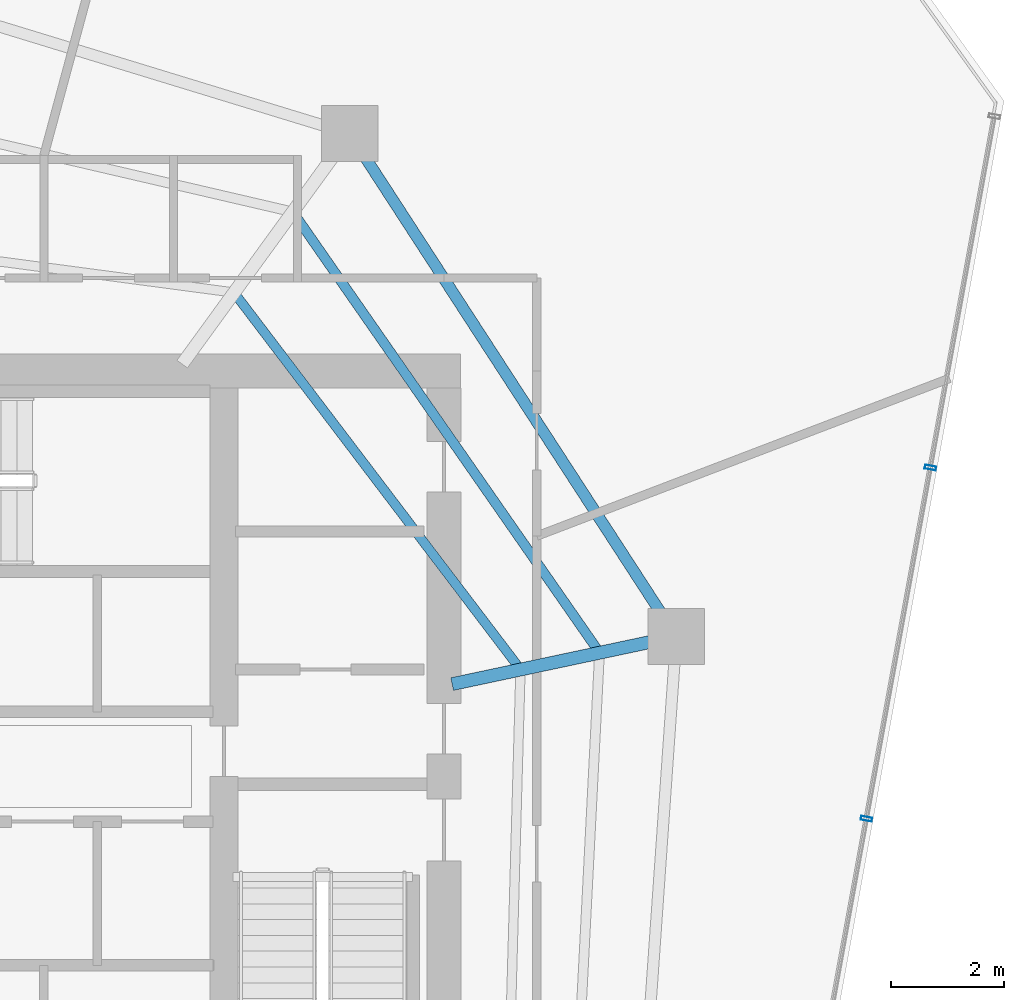
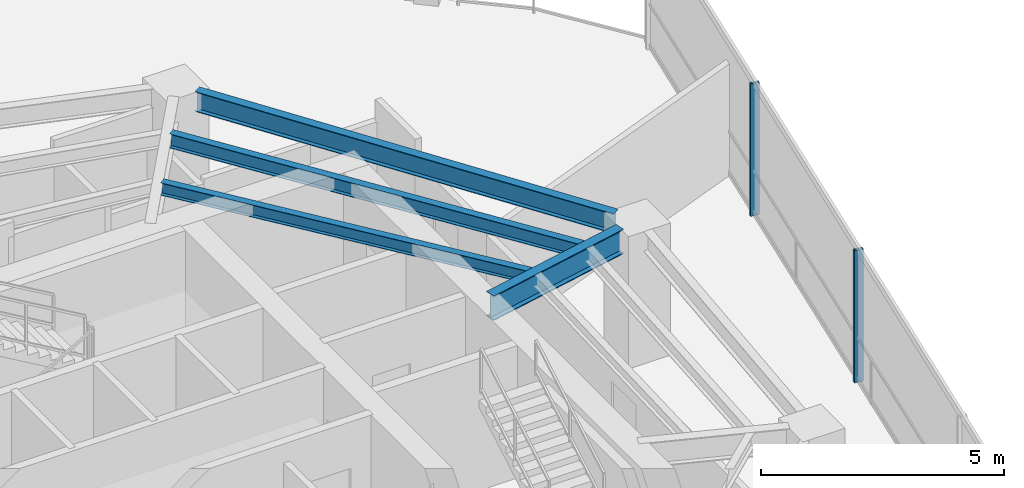
# One storey, part 11 of 21: 4 beams, 2 members, 1 element without a shape of its own.
"""IFC4 building model written with IfcOpenShell, lengths in metres."""

from ifc_helpers import new_model, si_unit, direction, frame, origin, origin_2d, place, context, subcontext, project, spatial, hollow_rectangle, i_section, extrude, material, layer, layer_set, material_profile, profile_set, type_object, element, aggregate, save


model = new_model("IFC4")

# Units and contexts
model_context = context("Model", 3, precision=1e-05, world=origin(), true_north=direction((0.0, 1.0)))
body_context = subcontext(model_context, "Body", "Model", "MODEL_VIEW")
ifc_project = project(units=[si_unit("LENGTHUNIT", "METRE"), si_unit("AREAUNIT", "SQUARE_METRE"), si_unit("VOLUMEUNIT", "CUBIC_METRE"), si_unit("PLANEANGLEUNIT", "RADIAN"), si_unit("MASSUNIT", "GRAM", prefix="KILO")], contexts=[model_context])

# Site, building, storey
site_placement = place(None, origin())
site = spatial("IfcSite", under=ifc_project, at=site_placement, CompositionType="ELEMENT")
building_placement = place(site_placement, origin())
building = spatial("IfcBuilding", under=site, at=building_placement, Name="Qarnah Convention Tower", CompositionType="ELEMENT")
storey_placement = place(building_placement, frame((0.0, 0.0, 140.10009765625)))
storey = spatial("IfcBuildingStorey", under=building, at=storey_placement, Name="L37", CompositionType="ELEMENT", Elevation=140.10009765625)

# Beams
ifc_material_1 = material(Name="Structural steel S355JR", Category="steel")
ifc_material_profile_1 = material_profile(ifc_material_1, i_section(OverallWidth=0.166015625, OverallDepth=0.31201171875, WebThickness=0.007080078125, FlangeThickness=0.010986328125, at=origin_2d()), Name="W310X45")
ifc_profile_set_1 = profile_set([ifc_material_profile_1], Name="Structural steel S355JR")
beam_type_1 = type_object("IfcBeamType", Name="BM-JST-W310", PredefinedType="JOIST", material=ifc_profile_set_1)
beam_1_placement = place(storey_placement, frame((48.906982421875, 28.970947265625, 3.163818359375), z_axis=(-0.605046386024, 0.796190222723, 0.0), x_axis=(-0.796190222723, -0.605046386024, 0.0)))
element("IfcBeam", 1, at=beam_1_placement, inside=storey, type_object=beam_type_1, Name="L37 joist BM-L37-IJST-01", PredefinedType="JOIST", context=body_context, shape_type="SweptSolid", body=[
    extrude(i_section(OverallWidth=0.166015625, OverallDepth=0.31201171875, WebThickness=0.007080078125, FlangeThickness=0.010986328125, at=origin_2d()), origin(), (0.0, 0.0, 1.0), 8.224365234375),
])
ifc_material_profile_2 = material_profile(ifc_material_1, i_section(OverallWidth=0.172119140625, OverallDepth=0.35595703125, WebThickness=0.007080078125, FlangeThickness=0.011962890625, at=origin_2d()), Name="W360X51")
ifc_profile_set_2 = profile_set([ifc_material_profile_2], Name="Structural steel S355JR")
beam_type_2 = type_object("IfcBeamType", Name="BM-JST-W360", PredefinedType="JOIST", material=ifc_profile_set_2)
beam_2_placement = place(storey_placement, frame((50.31298828125, 29.27197265625, 3.141845703125), z_axis=(-0.571244196533, 0.820780158098, 0.0), x_axis=(-0.820780158098, -0.571244196533, 0.0)))
element("IfcBeam", 2, at=beam_2_placement, inside=storey, type_object=beam_type_2, Name="L37 joist BM-L37-SJST-01", PredefinedType="JOIST", context=body_context, shape_type="SweptSolid", body=[
    extrude(i_section(OverallWidth=0.172119140625, OverallDepth=0.35595703125, WebThickness=0.007080078125, FlangeThickness=0.011962890625, at=origin_2d()), origin(), (0.0, 0.0, 1.0), 9.353271484375),
])
ifc_material_profile_3 = material_profile(ifc_material_1, i_section(OverallWidth=0.22998046875, OverallDepth=0.617919921875, WebThickness=0.012939453125, FlangeThickness=0.02197265625, at=origin_2d()), Name="W610X140")
ifc_profile_set_3 = profile_set([ifc_material_profile_3], Name="Structural steel S355JR")
beam_type_3 = type_object("IfcBeamType", Name="BM-RAD-W610A", PredefinedType="BEAM", material=ifc_profile_set_3)
beam_3_placement = place(storey_placement, frame((47.7470703125, 28.64111328125, 3.010986328125), z_axis=(0.978133929389, 0.207975999045, 0.0), x_axis=(-0.207975999045, 0.978133929389, 0.0)))
element("IfcBeam", 3, at=beam_3_placement, inside=storey, type_object=beam_type_3, Name="L37 beam BM-L37-RAD-01", PredefinedType="BEAM", context=body_context, shape_type="SweptSolid", body=[
    extrude(i_section(OverallWidth=0.22998046875, OverallDepth=0.617919921875, WebThickness=0.012939453125, FlangeThickness=0.02197265625, at=origin_2d()), origin(), (0.0, 0.0, 1.0), 3.586181640625),
])
ifc_material_profile_4 = material_profile(ifc_material_1, i_section(OverallWidth=0.199951171875, OverallDepth=0.5, WebThickness=0.010009765625, FlangeThickness=0.01611328125, at=origin_2d()), Name="IPE500")
ifc_profile_set_4 = profile_set([ifc_material_profile_4], Name="Structural steel S355JR")
beam_type_4 = type_object("IfcBeamType", Name="BM-SPN-IPE500", PredefinedType="SPANDREL", material=ifc_profile_set_4)
beam_4_placement = place(storey_placement, frame((51.4580078125, 29.89794921875, 3.06982421875), z_axis=(-0.544531816504, 0.838740186717, 0.0), x_axis=(-0.838740186717, -0.544531816504, 0.0)))
element("IfcBeam", 4, at=beam_4_placement, inside=storey, type_object=beam_type_4, Name="L37 spandrel BM-L37-SPN-01", PredefinedType="SPANDREL", context=body_context, shape_type="SweptSolid", body=[
    extrude(i_section(OverallWidth=0.199951171875, OverallDepth=0.5, WebThickness=0.010009765625, FlangeThickness=0.01611328125, at=origin_2d()), origin(), (0.0, 0.0, 1.0), 9.663330078125),
])

# Curtain wall, members
ifc_material_2 = material(Name="Tempered Low-E dark glass", Category="glass")
ifc_layer = layer(ifc_material_2, 0.172119140625)
ifc_layer_set = layer_set([ifc_layer], Name="Tempered Low-E dark glass")
curtain_wall_type = type_object("IfcCurtainWallType", Name="CWS-03", PredefinedType="NOTDEFINED", material=ifc_layer_set)
curtain_wall_placement = place(storey_placement, origin())
curtain_wall = element("IfcCurtainWall", 5, at=curtain_wall_placement, inside=storey, type_object=curtain_wall_type, Name="L37 unitised curtain wall CW-L37-F1", PredefinedType="NOTDEFINED")
ifc_material_3 = material(Name="Black anodised aluminium", Category="aluminium")
ifc_material_profile_5 = material_profile(ifc_material_3, hollow_rectangle(XDim=0.070068359375, YDim=0.199951171875, WallThickness=0.0048828125, at=origin_2d()), Name="MUL-70X200")
ifc_profile_set_5 = profile_set([ifc_material_profile_5], Name="Black anodised aluminium")
member_type = type_object("IfcMemberType", Name="MUL-T3", PredefinedType="MULLION", material=ifc_profile_set_5)
member_1_placement = place(storey_placement, frame((56.236083984375, 32.484375, 0.0), z_axis=(0.0, 0.0, 1.0), x_axis=(-0.179132646464, -0.983824931058, 0.0)))
member_1 = element("IfcMember", 6, at=member_1_placement, type_object=member_type, Name="CW-L37-F1 mullion 2", PredefinedType="MULLION", context=body_context, shape_type="SweptSolid", body=[
    extrude(hollow_rectangle(XDim=0.070068359375, YDim=0.199951171875, WallThickness=0.0048828125, at=origin_2d()), origin(), (0.0, 0.0, 1.0), 3.31982421875),
])
member_2_placement = place(storey_placement, frame((55.10107421875, 26.250732421875, 0.0), z_axis=(0.0, 0.0, 1.0), x_axis=(-0.179132646464, -0.983824931058, 0.0)))
member_2 = element("IfcMember", 7, at=member_2_placement, type_object=member_type, Name="CW-L37-F1 mullion 3", PredefinedType="MULLION", context=body_context, shape_type="SweptSolid", body=[
    extrude(hollow_rectangle(XDim=0.070068359375, YDim=0.199951171875, WallThickness=0.0048828125, at=origin_2d()), origin(), (0.0, 0.0, 1.0), 3.31982421875),
])
aggregate(curtain_wall, [member_1, member_2])

save(model, "model.ifc")
